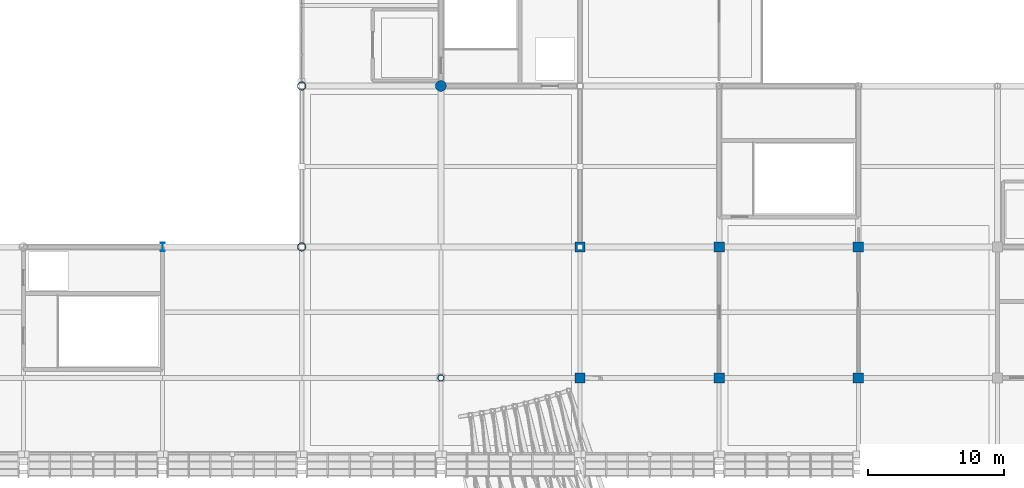
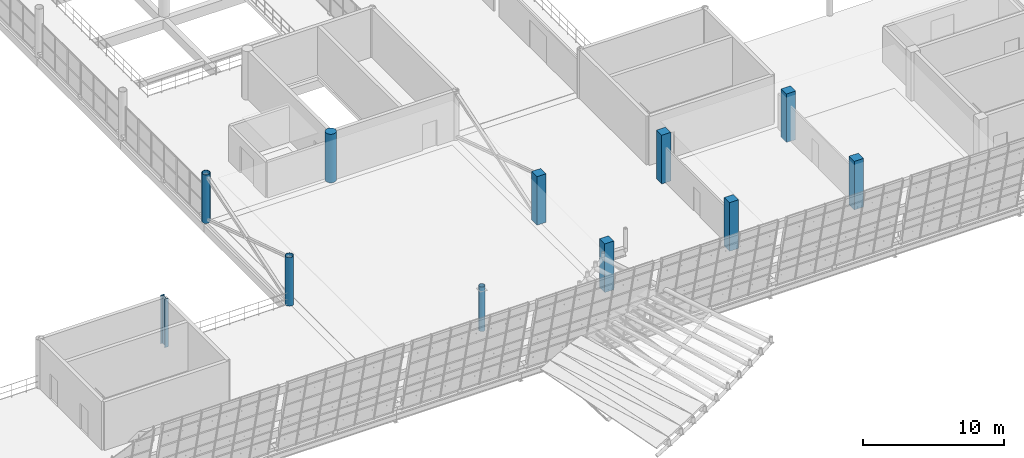
# One storey, part 9 of 157: 11 columns.
"""IFC4 building model written with IfcOpenShell, lengths in metres."""

import ifcopenshell
import ifcopenshell.guid

model = None  # the IFC model being written
_history = None  # IfcOwnerHistory: only IFC2X3 demands one
_inside = {}  # id of a spatial element -> (the spatial element, [elements in it])
_under = {}  # id of a project, library or spatial element -> (it, [spatial elements below it])
_declared = {}  # id of a project -> (the project, [libraries it declares])
_typed = {}  # id of a type object -> (the type object, [elements of that type])
_made_of = {}  # id of a material, layer set ... -> (it, [elements and type objects made of it])


def new_model(schema):
    """Start an empty IFC model of exactly this schema.

    Asked for "IFC4X3", IfcOpenShell would pick the latest addendum, in which some entities
    have other attributes; the version numbers below select the first issue.
    IFC2X3 requires an IfcOwnerHistory on every rooted entity: one is made here for all.
    """
    global model, _history
    if schema == "IFC4X3":
        model = ifcopenshell.file(schema_version=(4, 3, 0, 0))
    else:
        model = ifcopenshell.file(schema=schema)
    _inside.clear()
    _under.clear()
    _declared.clear()
    _typed.clear()
    _made_of.clear()
    _history = None
    if model.schema == "IFC2X3":
        org = make("IfcOrganization", Name="unknown")
        user = make(
            "IfcPersonAndOrganization",
            ThePerson=make("IfcPerson", FamilyName="unknown"),
            TheOrganization=org,
        )
        app = make(
            "IfcApplication",
            ApplicationDeveloper=org,
            Version="unknown",
            ApplicationFullName="unknown",
            ApplicationIdentifier="unknown",
        )
        _history = make(
            "IfcOwnerHistory",
            OwningUser=user,
            OwningApplication=app,
            ChangeAction="ADDED",
            CreationDate=0,
        )
    return model


def make(cls, **values):
    """One entity of the class cls with the attributes given. An attribute that is None is left unset."""
    return model.create_entity(
        cls, **{name: value for name, value in values.items() if value is not None}
    )


def rooted(cls, **values):
    """An entity with a GlobalId (a new one), such as an element, a storey or a relation."""
    return make(cls, GlobalId=ifcopenshell.guid.new(), OwnerHistory=_history, **values)


def si_unit(unit_type, name, prefix=None):
    """IfcSIUnit, for example si_unit("LENGTHUNIT", "METRE", prefix="MILLI")."""
    return make("IfcSIUnit", UnitType=unit_type, Prefix=prefix, Name=name)


def assignment(units):
    """IfcUnitAssignment: the units of a project."""
    return None if units is None else make("IfcUnitAssignment", Units=units)


def point(xyz):
    """IfcCartesianPoint."""
    return None if xyz is None else make("IfcCartesianPoint", Coordinates=xyz)


def direction(xyz):
    """IfcDirection."""
    return None if xyz is None else make("IfcDirection", DirectionRatios=xyz)


def frame(location, z_axis=None, x_axis=None):
    """IfcAxis2Placement3D, a coordinate frame: its origin and axes. An axis left out is left unset."""
    return make(
        "IfcAxis2Placement3D",
        Location=point(location),
        Axis=direction(z_axis),
        RefDirection=direction(x_axis),
    )


def frame_2d(location, x_axis=None):
    """IfcAxis2Placement2D, a coordinate frame in the plane: its origin and x axis."""
    return make(
        "IfcAxis2Placement2D", Location=point(location), RefDirection=direction(x_axis)
    )


def origin():
    """The frame at (0, 0, 0) with its axes left unset."""
    return frame((0.0, 0.0, 0.0))


def origin_2d():
    """The frame at (0, 0) in the plane with its x axis left unset."""
    return frame_2d((0.0, 0.0))


def place(relative_to, where):
    """IfcLocalPlacement: puts the frame where relative to a parent placement (None: the world)."""
    return make(
        "IfcLocalPlacement", PlacementRelTo=relative_to, RelativePlacement=where
    )


def context(
    kind, dimensions, precision=None, world=None, true_north=None, identifier=None
):
    """IfcGeometricRepresentationContext, for example the 3D "Model" context."""
    return make(
        "IfcGeometricRepresentationContext",
        ContextIdentifier=identifier,
        ContextType=kind,
        CoordinateSpaceDimension=dimensions,
        Precision=precision,
        WorldCoordinateSystem=world,
        TrueNorth=true_north,
    )


def subcontext(parent, identifier, kind, view, scale=None):
    """IfcGeometricRepresentationSubContext, for example "Body" below "Model"."""
    return make(
        "IfcGeometricRepresentationSubContext",
        ContextIdentifier=identifier,
        ContextType=kind,
        ParentContext=parent,
        TargetScale=scale,
        TargetView=view,
    )


def project(units=None, contexts=None):
    """IfcProject with its units and contexts."""
    return rooted(
        "IfcProject",
        Name="project",
        RepresentationContexts=contexts,
        UnitsInContext=assignment(units),
    )


def spatial(cls, under=None, at=None, **own):
    """A site, building, storey or space (cls), placed at a placement, below another one or the project."""
    s = rooted(cls, ObjectPlacement=at, **own)
    if under is not None:
        _under.setdefault(under.id(), (under, []))[1].append(s)
    return s


def profile(cls, at=None, kind="AREA", **sizes):
    """A parametric profile (cls). Its sizes go by their IFC names, for example OverallWidth=200.0."""
    return make(cls, ProfileType=kind, Position=at, **sizes)


def rectangle(**sizes):
    """IfcRectangleProfileDef."""
    return profile("IfcRectangleProfileDef", **sizes)


def circle(**sizes):
    """IfcCircleProfileDef."""
    return profile("IfcCircleProfileDef", **sizes)


def hollow_circle(**sizes):
    """IfcCircleHollowProfileDef."""
    return profile("IfcCircleHollowProfileDef", **sizes)


def i_section(**sizes):
    """IfcIShapeProfileDef."""
    return profile("IfcIShapeProfileDef", **sizes)


def extrude(swept, where, along, depth):
    """IfcExtrudedAreaSolid: the profile swept, set in the frame where, extruded along a direction by depth."""
    return make(
        "IfcExtrudedAreaSolid",
        SweptArea=swept,
        Position=where,
        ExtrudedDirection=direction(along),
        Depth=depth,
    )


def shape(context_of_items, identifier, shape_type, items):
    """IfcShapeRepresentation: the items that make up one representation, for example the "Body"."""
    return make(
        "IfcShapeRepresentation",
        ContextOfItems=context_of_items,
        RepresentationIdentifier=identifier,
        RepresentationType=shape_type,
        Items=items,
    )


def material(Name=None, Category=None):
    """IfcMaterial."""
    return make("IfcMaterial", Name=Name, Category=Category)


def material_profile(
    of_material, cross_section, Name=None, Category=None, Priority=None
):
    """IfcMaterialProfile: a cross section and its material."""
    return make(
        "IfcMaterialProfile",
        Name=Name,
        Material=of_material,
        Profile=cross_section,
        Priority=Priority,
        Category=Category,
    )


def profile_set(profiles, Name=None, composite=None):
    """IfcMaterialProfileSet."""
    return make(
        "IfcMaterialProfileSet",
        Name=Name,
        MaterialProfiles=profiles,
        CompositeProfile=composite,
    )


def made_of(thing, what):
    """Note that an element or type object is made of a material, layer set ...; save() writes the relation."""
    if what is not None:
        _made_of.setdefault(what.id(), (what, []))[1].append(thing)
    return thing


def type_object(cls, material=None, **own):
    """A type object (cls), such as IfcWallType, which elements share."""
    return made_of(rooted(cls, **own), material)


def element(
    cls,
    number,
    at=None,
    inside=None,
    cuts=None,
    type_object=None,
    material=None,
    context=None,
    identifier="Body",
    shape_type=None,
    held_by="IfcProductDefinitionShape",
    body=None,
    shapes=None,
    **own,
):
    """One element of the class cls, such as IfcWall. Its Tag is "e" and its number.

    at: its placement. inside: the storey or other place that contains it. cuts: it is an
    opening in that element (IfcRelVoidsElement). A single representation is given by context,
    identifier, shape_type and body (its items); several are given by shapes. held_by: the class
    of the entity that holds the representations. save() writes the other relations.
    """
    e = rooted(cls, Tag="e%d" % number, ObjectPlacement=at, **own)
    if body is not None:
        shapes = [shape(context, identifier, shape_type, body)]
    if shapes is not None:
        e.Representation = make(held_by, Representations=shapes)
    if inside is not None:
        _inside.setdefault(inside.id(), (inside, []))[1].append(e)
    if cuts is not None:
        rooted(
            "IfcRelVoidsElement", RelatingBuildingElement=cuts, RelatedOpeningElement=e
        )
    if type_object is not None:
        _typed.setdefault(type_object.id(), (type_object, []))[1].append(e)
    return made_of(e, material)


def aggregate(whole, parts):
    """IfcRelAggregates: a whole, such as a stair, and the parts it consists of."""
    return rooted("IfcRelAggregates", RelatingObject=whole, RelatedObjects=parts)


def save(model, path):
    """Write the relations noted so far, then the file.

    IfcRelAggregates (storeys below a building ...), IfcRelContainedInSpatialStructure (elements
    in a storey), IfcRelDefinesByType, IfcRelAssociatesMaterial and IfcRelDeclares: one each for
    every whole, place, type object, material and project.
    """
    for whole, parts in _under.values():
        aggregate(whole, parts)
    for where, things in _inside.values():
        rooted(
            "IfcRelContainedInSpatialStructure",
            RelatedElements=things,
            RelatingStructure=where,
        )
    for kind, things in _typed.values():
        rooted("IfcRelDefinesByType", RelatedObjects=things, RelatingType=kind)
    for what, things in _made_of.values():
        rooted("IfcRelAssociatesMaterial", RelatedObjects=things, RelatingMaterial=what)
    for by, libraries in _declared.values():
        rooted("IfcRelDeclares", RelatingContext=by, RelatedDefinitions=libraries)
    model.write(path)


model = new_model("IFC4")

# Units and contexts
model_context = context("Model", 3, precision=1e-05, world=origin(), true_north=direction((0.0, 1.0)))
body_context = subcontext(model_context, "Body", "Model", "MODEL_VIEW")
ifc_project = project(units=[si_unit("LENGTHUNIT", "METRE"), si_unit("AREAUNIT", "SQUARE_METRE"), si_unit("VOLUMEUNIT", "CUBIC_METRE"), si_unit("PLANEANGLEUNIT", "RADIAN"), si_unit("MASSUNIT", "GRAM", prefix="KILO")], contexts=[model_context])

# Site, building, storey
site_placement = place(None, origin())
site = spatial("IfcSite", under=ifc_project, at=site_placement, CompositionType="ELEMENT")
building_placement = place(site_placement, origin())
building = spatial("IfcBuilding", under=site, at=building_placement, Name="Brelvane Convention Centre", CompositionType="ELEMENT")
storey_placement = place(building_placement, frame((0.0, 0.0, 10.800048828125)))
storey = spatial("IfcBuildingStorey", under=building, at=storey_placement, Name="L02", CompositionType="ELEMENT", Elevation=10.800048828125)

# Columns
ifc_material_1 = material(Name="Concrete M50", Category="concrete")
ifc_material_profile_1 = material_profile(ifc_material_1, rectangle(XDim=0.75, YDim=0.75, at=origin_2d()), Name="RC 750x750")
ifc_profile_set_1 = profile_set([ifc_material_profile_1], Name="Concrete M50")
column_type_1 = type_object("IfcColumnType", Name="RC Column C-RC3 (RC 750x750)", PredefinedType="COLUMN", material=ifc_profile_set_1)
for number, where, z_axis, x_axis, name in (
    (1, (163.199951171875, 19.199951171875, 0.0), (0.0, 0.0, 1.0), (1.0, 0.0, 0.0), "Column 17-C (L02)"),
    (2, (163.199951171875, 28.800048828125, 0.0), (0.0, 0.0, 1.0), (1.0, 0.0, 0.0), "Column 17-D (L02)"),
    (3, (173.39990234375, 19.199951171875, 0.0), (0.0, 0.0, 1.0), (1.0, 0.0, 0.0), "Column 18-C (L02)"),
    (4, (173.39990234375, 28.800048828125, 0.0), (0.0, 0.0, 1.0), (1.0, 0.0, 0.0), "Column 18-D (L02)"),
    (5, (183.60009765625, 19.199951171875, 0.0), (0.0, 0.0, 1.0), (1.0, 0.0, 0.0), "Column 19-C (L02)"),
    (6, (183.60009765625, 28.800048828125, 0.0), (0.0, 0.0, 1.0), (1.0, 0.0, 0.0), "Column 19-D (L02)"),
):
    element("IfcColumn", number, at=place(storey_placement, frame(where, z_axis=z_axis, x_axis=x_axis)), inside=storey, type_object=column_type_1, Name=name, PredefinedType="COLUMN", context=body_context, shape_type="SweptSolid", body=[
        extrude(rectangle(XDim=0.75, YDim=0.75, at=origin_2d()), origin(), (0.0, 0.0, 1.0), 4.199951171875),
    ])
ifc_material_2 = material(Name="Concrete M50", Category="concrete")
ifc_material_profile_2 = material_profile(ifc_material_2, circle(Radius=0.39990234375, at=origin_2d()), Name="RC-CIRC D800")
ifc_profile_set_2 = profile_set([ifc_material_profile_2], Name="Concrete M50")
column_type_2 = type_object("IfcColumnType", Name="RC Column C-RC7 (RC-CIRC D800)", PredefinedType="COLUMN", material=ifc_profile_set_2)
column_1_placement = place(storey_placement, frame((153.0, 40.60009765625, 0.0), z_axis=(0.0, 0.0, 1.0), x_axis=(1.0, 0.0, 0.0)))
element("IfcColumn", 7, at=column_1_placement, inside=storey, type_object=column_type_2, Name="Column 16-E (L02)", PredefinedType="COLUMN", context=body_context, shape_type="SweptSolid", body=[
    extrude(circle(Radius=0.39990234375, at=origin_2d()), origin(), (0.0, 0.0, 1.0), 4.199951171875),
])
ifc_material_3 = material(Name="Steel E450 (450 MPa)", Category="steel")
ifc_material_profile_3 = material_profile(ifc_material_3, hollow_circle(Radius=0.304931640625, WallThickness=0.02490234375, at=origin_2d()), Name="CHS 610.0x25.0")
ifc_profile_set_3 = profile_set([ifc_material_profile_3], Name="Steel E450 (450 MPa)")
column_type_3 = type_object("IfcColumnType", Name="Steel Column C-ST1 (CHS 610.0x25.0)", PredefinedType="COLUMN", material=ifc_profile_set_3)
for number, where, z_axis, x_axis, name in (
    (8, (142.800048828125, 28.800048828125, 0.0), (0.0, 0.0, 1.0), (1.0, 0.0, 0.0), "Column 15-D (L02)"),
    (9, (142.800048828125, 40.60009765625, 0.0), (0.0, 0.0, 1.0), (1.0, 0.0, 0.0), "Column 15-E (L02)"),
):
    element("IfcColumn", number, at=place(storey_placement, frame(where, z_axis=z_axis, x_axis=x_axis)), inside=storey, type_object=column_type_3, Name=name, PredefinedType="COLUMN", context=body_context, shape_type="SweptSolid", body=[
        extrude(hollow_circle(Radius=0.304931640625, WallThickness=0.02490234375, at=origin_2d()), origin(), (0.0, 0.0, 1.0), 4.199951171875),
    ])
ifc_material_4 = material(Name="Steel E450 (450 MPa)", Category="steel")
ifc_material_profile_4 = material_profile(ifc_material_4, hollow_circle(Radius=0.228515625, WallThickness=0.02001953125, at=origin_2d()), Name="CHS 457.0x20.0")
ifc_profile_set_4 = profile_set([ifc_material_profile_4], Name="Steel E450 (450 MPa)")
column_type_4 = type_object("IfcColumnType", Name="Steel Column C-ST3 (CHS 457.0x20.0)", PredefinedType="COLUMN", material=ifc_profile_set_4)
column_2_placement = place(storey_placement, frame((153.0, 19.199951171875, 0.0), z_axis=(0.0, 0.0, 1.0), x_axis=(1.0, 0.0, 0.0)))
element("IfcColumn", 10, at=column_2_placement, inside=storey, type_object=column_type_4, Name="Canopy Root Anchor Column L02", PredefinedType="COLUMN", context=body_context, shape_type="SweptSolid", body=[
    extrude(hollow_circle(Radius=0.228515625, WallThickness=0.02001953125, at=origin_2d()), origin(), (0.0, 0.0, 1.0), 3.849853515625),
])
ifc_material_5 = material(Name="Steel E450 (450 MPa)", Category="steel")
ifc_material_profile_5 = material_profile(ifc_material_5, i_section(OverallWidth=0.300048828125, OverallDepth=0.60009765625, WebThickness=0.015380859375, FlangeThickness=0.030029296875, FilletRadius=0.027099609375, at=origin_2d()), Name="WPB 600x300")
ifc_profile_set_5 = profile_set([ifc_material_profile_5], Name="Steel E450 (450 MPa)")
column_type_5 = type_object("IfcColumnType", Name="Steel Column C-ST5 (WPB 600x300)", PredefinedType="COLUMN", material=ifc_profile_set_5)
column_3_placement = place(storey_placement, frame((132.60009765625, 28.800048828125, 0.0), z_axis=(0.0, 0.0, 1.0), x_axis=(1.0, 0.0, 0.0)))
element("IfcColumn", 11, at=column_3_placement, inside=storey, type_object=column_type_5, Name="Column 14-D (L02)", PredefinedType="COLUMN", context=body_context, shape_type="SweptSolid", body=[
    extrude(i_section(OverallWidth=0.300048828125, OverallDepth=0.60009765625, WebThickness=0.015380859375, FlangeThickness=0.030029296875, FilletRadius=0.027099609375, at=origin_2d()), origin(), (0.0, 0.0, 1.0), 4.199951171875),
])

save(model, "model.ifc")
